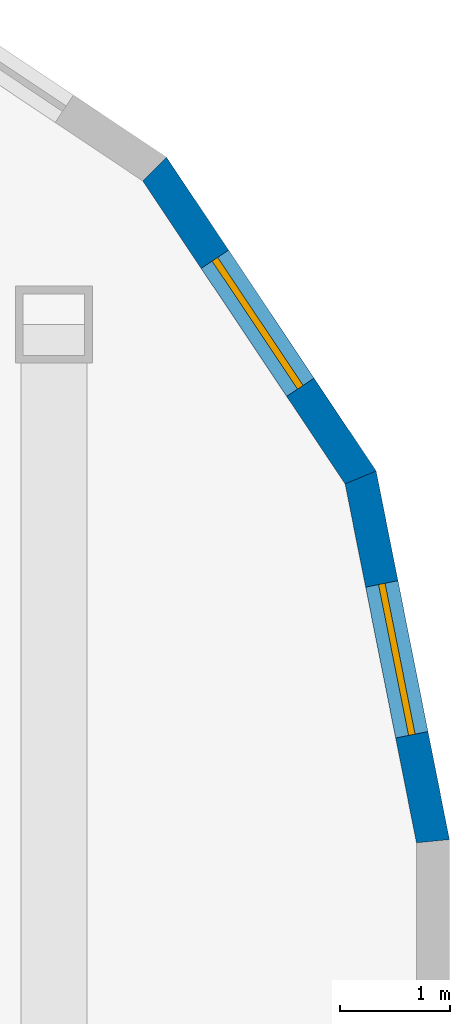
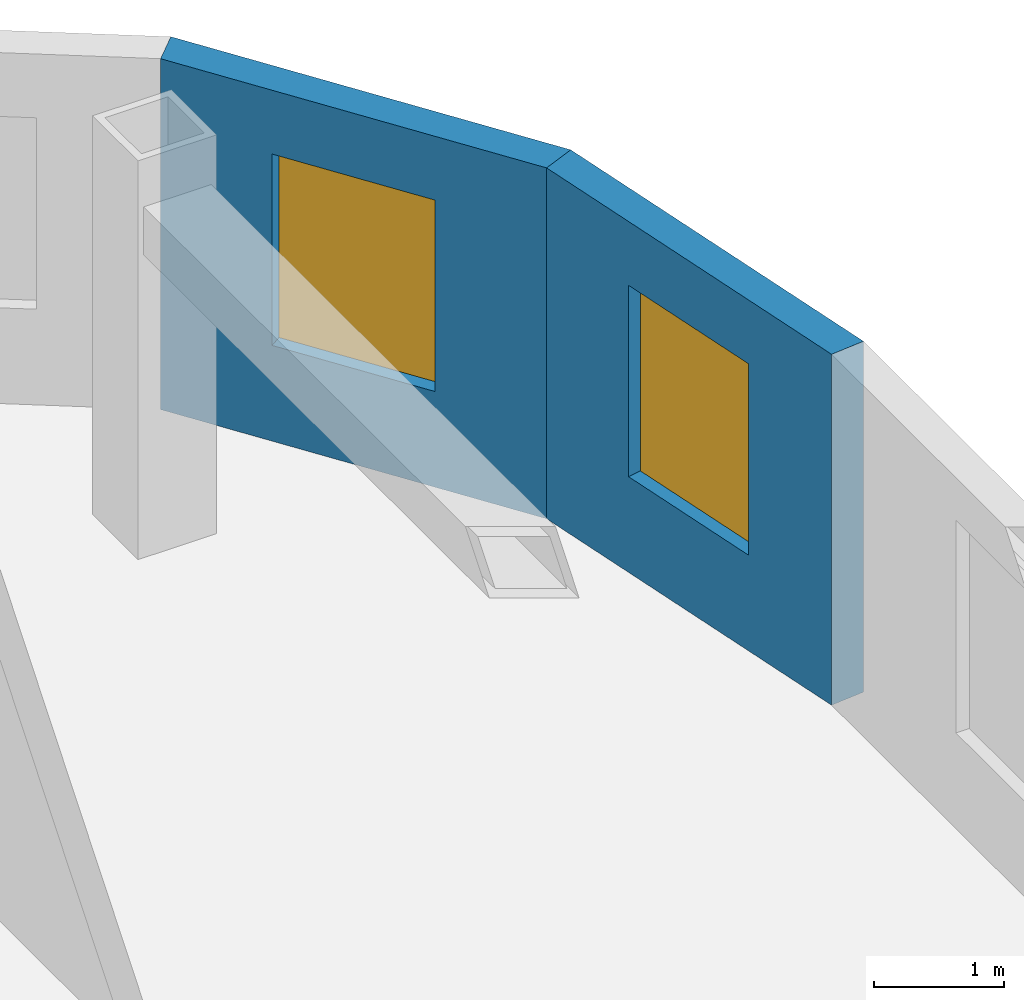
# One storey, part 18 of 23: 2 walls, 2 windows, 2 openings.
"""IFC4 building model written with IfcOpenShell, lengths in metres."""

from ifc_helpers import new_model, si_unit, direction, frame, frame_2d, origin, place, context, subcontext, project, spatial, polyline, rectangle, outline, extrude, material, layer, layer_set, type_object, element, fill, save


model = new_model("IFC4")

# Units and contexts
model_context = context("Model", 3, precision=1e-05, world=origin(), true_north=direction((0.0, 1.0)))
body_context = subcontext(model_context, "Body", "Model", "MODEL_VIEW")
ifc_project = project(units=[si_unit("LENGTHUNIT", "METRE"), si_unit("AREAUNIT", "SQUARE_METRE"), si_unit("VOLUMEUNIT", "CUBIC_METRE"), si_unit("PLANEANGLEUNIT", "RADIAN"), si_unit("MASSUNIT", "GRAM", prefix="KILO")], contexts=[model_context])

# Site, building, storey
site_placement = place(None, origin())
site = spatial("IfcSite", under=ifc_project, at=site_placement, CompositionType="ELEMENT")
building_placement = place(site_placement, origin())
building = spatial("IfcBuilding", under=site, at=building_placement, Name="Orbita Commons", CompositionType="ELEMENT")
storey_placement = place(building_placement, frame((0.0, 0.0, 174.85009765625)))
storey = spatial("IfcBuildingStorey", under=building, at=storey_placement, Name="L43", CompositionType="ELEMENT", Elevation=174.85009765625)

# Wall, opening, window
ifc_material_1 = material(Name="Precast concrete C40/50, white board-marked finish", Category="concrete")
ifc_layer = layer(ifc_material_1, 0.300048828125)
ifc_layer_set = layer_set([ifc_layer], Name="Precast concrete C40/50, white board-marked finish")
wall_type = type_object("IfcWallType", Name="Precast concrete end shield 300", PredefinedType="SOLIDWALL", material=ifc_layer_set)
wall_1_placement = place(storey_placement, frame((75.449951171875, 45.39990234375, 0.0), z_axis=(0.0, 0.0, 1.0), x_axis=(-0.19508664885, 0.980786011034, 0.0)))
wall_1 = element("IfcWall", 1, at=wall_1_placement, inside=storey, type_object=wall_type, Name="End shield NE chord 1 L43", PredefinedType="SOLIDWALL", context=body_context, shape_type="SweptSolid", body=[
    extrude(outline(polyline([(-0.014892578125, -0.14990234375), (3.405029296875, -0.14990234375), (3.345458984375, 0.14990234375), (0.014892578125, 0.14990234375), (-0.014892578125, -0.14990234375)])), origin(), (0.0, 0.0, 1.0), 3.2998046875),
])
opening_1_placement = place(wall_1_placement, frame((0.987548828125, 0.0, 0.89990234375)))
opening_1 = element("IfcOpeningElement", 2, at=opening_1_placement, cuts=wall_1, Name="Opening W02", PredefinedType="OPENING", context=body_context, shape_type="SweptSolid", body=[
    extrude(rectangle(XDim=1.39990234375, YDim=1.800048828125, at=frame_2d((0.699951171875, 0.89990234375))), frame((0.0, 0.159912109375, 0.0), z_axis=(0.0, -1.0, 0.0), x_axis=(1.0, 0.0, 0.0)), (0.0, 0.0, 1.0), 0.320068359375),
])
ifc_material_2 = material(Name="Aluminium frame, clear double glazing", Category="aluminium")
window_type = type_object("IfcWindowType", Name="Deep-set window 1400x1800", PartitioningType="SINGLE_PANEL", PredefinedType="WINDOW", material=ifc_material_2)
window_1_placement = place(opening_1_placement, origin())
window_1 = element("IfcWindow", 3, at=window_1_placement, inside=storey, type_object=window_type, Name="Window L43-NE0", OverallHeight=1.800048828125, OverallWidth=1.39990234375, PartitioningType="SINGLE_PANEL", PredefinedType="WINDOW", context=body_context, shape_type="SweptSolid", body=[
    extrude(rectangle(XDim=1.39990234375, YDim=1.800048828125, at=frame_2d((0.699951171875, 0.89990234375))), frame((0.0, 0.030029296875, 0.0), z_axis=(0.0, -1.0, 0.0), x_axis=(1.0, 0.0, 0.0)), (0.0, 0.0, 1.0), 0.06005859375),
])
fill(opening_1, window_1)

wall_2_placement = place(storey_placement, frame((74.79150390625, 48.710205078125, 0.0), z_axis=(0.0, 0.0, 1.0), x_axis=(-0.555534554399, 0.831493450887, 0.0)))
wall_2 = element("IfcWall", 4, at=wall_2_placement, inside=storey, type_object=wall_type, Name="End shield NE chord 2 L43", PredefinedType="SOLIDWALL", context=body_context, shape_type="SweptSolid", body=[
    extrude(outline(polyline([(-0.02978515625, -0.14990234375), (3.405029296875, -0.14990234375), (3.345458984375, 0.14990234375), (0.02978515625, 0.14990234375), (-0.02978515625, -0.14990234375)])), origin(), (0.0, 0.0, 1.0), 3.2998046875),
])
opening_2_placement = place(wall_2_placement, frame((0.987548828125, 0.0, 0.89990234375)))
opening_2 = element("IfcOpeningElement", 5, at=opening_2_placement, cuts=wall_2, Name="Opening W02", PredefinedType="OPENING", context=body_context, shape_type="SweptSolid", body=[
    extrude(rectangle(XDim=1.39990234375, YDim=1.800048828125, at=frame_2d((0.699951171875, 0.89990234375))), frame((0.0, 0.159912109375, 0.0), z_axis=(0.0, -1.0, 0.0), x_axis=(1.0, 0.0, 0.0)), (0.0, 0.0, 1.0), 0.320068359375),
])
window_2_placement = place(opening_2_placement, origin())
window_2 = element("IfcWindow", 6, at=window_2_placement, inside=storey, type_object=window_type, Name="Window L43-NE1", OverallHeight=1.800048828125, OverallWidth=1.39990234375, PartitioningType="SINGLE_PANEL", PredefinedType="WINDOW", context=body_context, shape_type="SweptSolid", body=[
    extrude(rectangle(XDim=1.39990234375, YDim=1.800048828125, at=frame_2d((0.699951171875, 0.89990234375))), frame((0.0, 0.030029296875, 0.0), z_axis=(0.0, -1.0, 0.0), x_axis=(1.0, 0.0, 0.0)), (0.0, 0.0, 1.0), 0.06005859375),
])
fill(opening_2, window_2)

save(model, "model.ifc")
